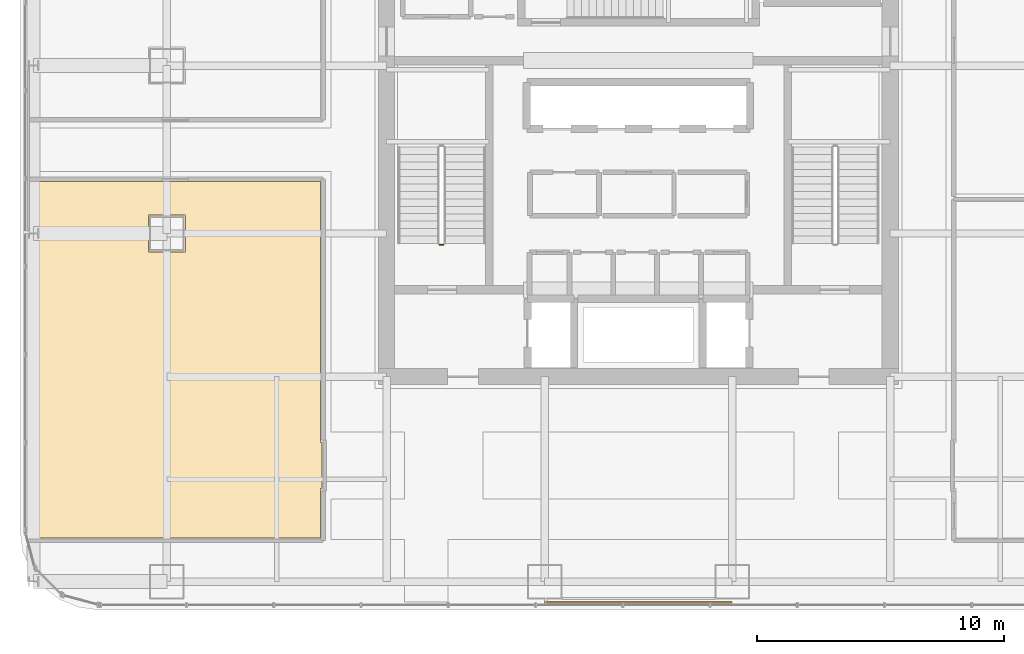
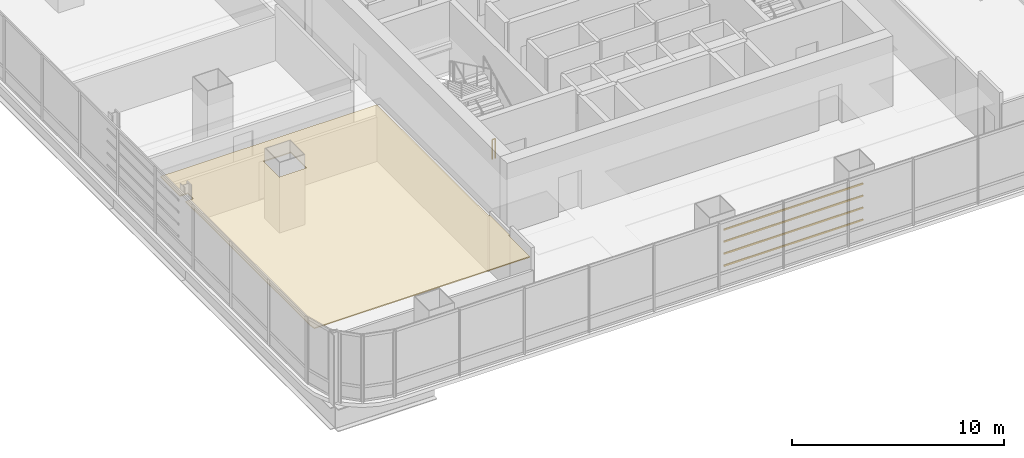
# One storey, part 34 of 38: 4 shading devices, 1 covering, 1 railing.
"""IFC4 building model written with IfcOpenShell, lengths in metres."""

from ifc_helpers import new_model, si_unit, direction, frame, origin, origin_2d, place, context, subcontext, project, spatial, polyline, hollow_rectangle, circle, outline, extrude, material, layer, layer_set, material_profile, profile_set, type_object, element, save


model = new_model("IFC4")

# Units and contexts
model_context = context("Model", 3, precision=1e-05, world=origin(), true_north=direction((0.0, 1.0)))
body_context = subcontext(model_context, "Body", "Model", "MODEL_VIEW")
ifc_project = project(units=[si_unit("LENGTHUNIT", "METRE"), si_unit("AREAUNIT", "SQUARE_METRE"), si_unit("VOLUMEUNIT", "CUBIC_METRE"), si_unit("PLANEANGLEUNIT", "RADIAN"), si_unit("MASSUNIT", "GRAM", prefix="KILO")], contexts=[model_context])

# Site, building, storey
site_placement = place(None, origin())
site = spatial("IfcSite", under=ifc_project, at=site_placement, CompositionType="ELEMENT")
building_placement = place(site_placement, origin())
building = spatial("IfcBuilding", under=site, at=building_placement, Name="Punatoya Terracotta Tower", CompositionType="ELEMENT")
storey_placement = place(building_placement, frame((0.0, 0.0, 143.85009765625)))
storey = spatial("IfcBuildingStorey", under=building, at=storey_placement, Name="L33", CompositionType="ELEMENT", Elevation=143.85009765625)

# Covering
ifc_material_1 = material(Name="Acoustic Mineral Fibre Ceiling")
ifc_layer = layer(ifc_material_1, 0.06005859375)
ifc_layer_set = layer_set([ifc_layer], Name="Acoustic Mineral Fibre Ceiling")
covering_type = type_object("IfcCoveringType", Name="COV-CEIL-60", PredefinedType="CEILING", material=ifc_layer_set)
covering_placement = place(storey_placement, frame((0.0, 0.0, 3.219970703125)))
element("IfcCovering", 1, at=covering_placement, inside=storey, type_object=covering_type, Name="L33 Cartography Reference Library Acoustic Ceiling", PredefinedType="CEILING", context=body_context, shape_type="SweptSolid", body=[
    extrude(outline(polyline([(-24.24560546875, -3.66259765625), (-24.669921875, -3.66259765625), (-24.669921875, -15.425048828125), (-24.628662109375, -15.739990234375), (-12.8701171875, -15.739990234375), (-12.8701171875, -13.72998046875), (-12.81005859375, -13.72998046875), (-12.81005859375, -11.8701171875), (-12.8701171875, -11.8701171875), (-12.8701171875, -1.300048828125), (-24.669921875, -1.300048828125), (-24.669921875, -3.137451171875), (-24.24560546875, -3.137451171875), (-24.24560546875, -3.66259765625)]), holes=[polyline([(-18.35009765625, -4.14990234375), (-19.85009765625, -4.14990234375), (-19.85009765625, -2.64990234375), (-18.35009765625, -2.64990234375), (-18.35009765625, -4.14990234375)])]), origin(), (0.0, 0.0, 1.0), 0.059814453125),
])

# Railing
ifc_material_2 = material(Name="Steel S355", Category="steel")
railing_type = type_object("IfcRailingType", Name="RLG-GRD-1150", PredefinedType="GUARDRAIL", material=ifc_material_2)
railing_placement = place(storey_placement, frame((-7.89990234375, -3.85009765625, 0.0)))
element("IfcRailing", 2, at=railing_placement, inside=storey, type_object=railing_type, Name="L33 ST-1 stair guard 4", PredefinedType="GUARDRAIL", context=body_context, shape_type="SweptSolid", body=[
    extrude(circle(Radius=0.02392578125, at=origin_2d()), frame((0.0, 0.0, 1.1259765625), z_axis=(-1.0, 0.0, 0.0), x_axis=(0.0, -1.0, 0.0)), (0.0, 0.0, 1.0), 0.150146484375),
    extrude(circle(Radius=0.02099609375, at=origin_2d()), origin(), (0.0, 0.0, 1.0), 1.101806640625),
    extrude(circle(Radius=0.02099609375, at=origin_2d()), frame((-0.150146484375, 0.0, 0.0)), (0.0, 0.0, 1.0), 1.101806640625),
])

# Shading devices
ifc_material_3 = material(Name="Architectural Fired Terracotta", Category="masonry")
ifc_material_profile = material_profile(ifc_material_3, hollow_rectangle(XDim=0.06005859375, YDim=0.090087890625, WallThickness=0.013916015625, at=origin_2d()))
ifc_profile_set = profile_set([ifc_material_profile], Name="Architectural Fired Terracotta")
shading_device_type = type_object("IfcShadingDeviceType", Name="SHD-JALI-90", PredefinedType="JALOUSIE", material=ifc_profile_set)
for number, where, z_axis, x_axis, name in (
    (3, (-3.800048828125, -18.340087890625, 1.14990234375), (1.0, 0.0, 0.0), (0.0, 1.0, 0.0), "L33 Fired Terracotta Baguette Louvre BAG-L33-S-01"),
    (4, (-3.800048828125, -18.340087890625, 1.84326171875), (1.0, 0.0, 0.0), (0.0, 1.0, 0.0), "L33 Fired Terracotta Baguette Louvre BAG-L33-S-02"),
    (5, (-3.800048828125, -18.340087890625, 2.53662109375), (1.0, 0.0, 0.0), (0.0, 1.0, 0.0), "L33 Fired Terracotta Baguette Louvre BAG-L33-S-03"),
    (6, (-3.800048828125, -18.340087890625, 3.22998046875), (1.0, 0.0, 0.0), (0.0, 1.0, 0.0), "L33 Fired Terracotta Baguette Louvre BAG-L33-S-04"),
):
    element("IfcShadingDevice", number, at=place(storey_placement, frame(where, z_axis=z_axis, x_axis=x_axis)), inside=storey, type_object=shading_device_type, Name=name, PredefinedType="JALOUSIE", context=body_context, shape_type="SweptSolid", body=[
        extrude(hollow_rectangle(XDim=0.06005859375, YDim=0.090087890625, WallThickness=0.013916015625, at=origin_2d()), origin(), (0.0, 0.0, 1.0), 7.60009765625),
    ])

save(model, "model.ifc")
